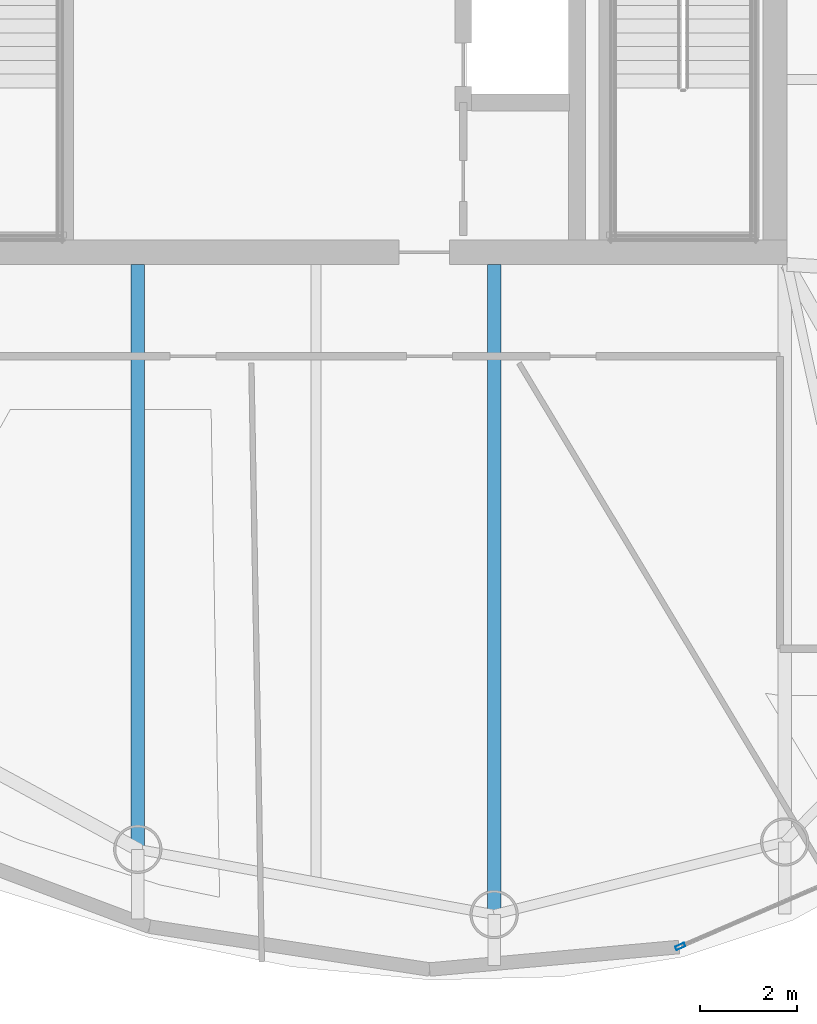
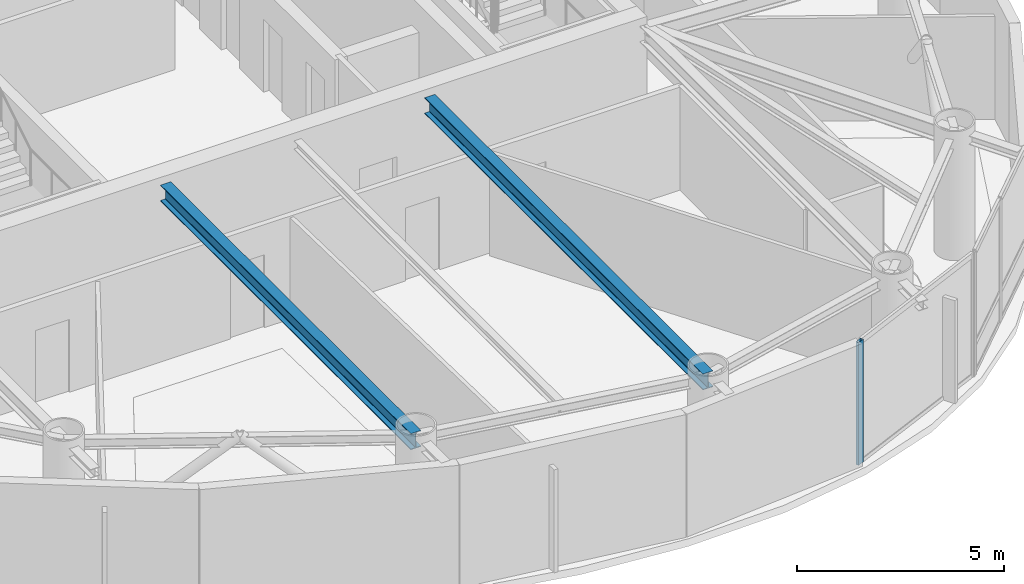
# One storey, part 5 of 21: 2 beams, 1 member, 1 element without a shape of its own.
"""IFC4 building model written with IfcOpenShell, lengths in metres."""

from ifc_helpers import new_model, si_unit, direction, frame, origin, origin_2d, place, context, subcontext, project, spatial, hollow_rectangle, i_section, extrude, material, layer, layer_set, material_profile, profile_set, type_object, element, aggregate, save


model = new_model("IFC4")

# Units and contexts
model_context = context("Model", 3, precision=1e-05, world=origin(), true_north=direction((0.0, 1.0)))
body_context = subcontext(model_context, "Body", "Model", "MODEL_VIEW")
ifc_project = project(units=[si_unit("LENGTHUNIT", "METRE"), si_unit("AREAUNIT", "SQUARE_METRE"), si_unit("VOLUMEUNIT", "CUBIC_METRE"), si_unit("PLANEANGLEUNIT", "RADIAN"), si_unit("MASSUNIT", "GRAM", prefix="KILO")], contexts=[model_context])

# Site, building, storey
site_placement = place(None, origin())
site = spatial("IfcSite", under=ifc_project, at=site_placement, CompositionType="ELEMENT")
building_placement = place(site_placement, origin())
building = spatial("IfcBuilding", under=site, at=building_placement, Name="Bramvorn Convention Spire", CompositionType="ELEMENT")
storey_placement = place(building_placement, frame((0.0, 0.0, 257.449951171875)))
storey = spatial("IfcBuildingStorey", under=building, at=storey_placement, Name="L65", CompositionType="ELEMENT", Elevation=257.449951171875)

# Beams
ifc_material_1 = material(Name="Steel CSA G40.21 Grade 350 (350W)", Category="steel")
ifc_material_profile_1 = material_profile(ifc_material_1, i_section(OverallWidth=0.283935546875, OverallDepth=0.47607421875, WebThickness=0.014892578125, FlangeThickness=0.02392578125, FilletRadius=0.01806640625, at=origin_2d()))
ifc_profile_set_1 = profile_set([ifc_material_profile_1], Name="Steel CSA G40.21 Grade 350 (350W) - W460X158")
beam_type = type_object("IfcBeamType", Name="BM-W460X158", PredefinedType="SPANDREL", material=ifc_profile_set_1)
beam_1_placement = place(storey_placement, frame((35.8154296875, 18.550048828125, 3.386962890625), z_axis=(0.0, -1.0, 0.0), x_axis=(1.0, 0.0, 0.0)))
element("IfcBeam", 1, at=beam_1_placement, inside=storey, type_object=beam_type, Name="L65 radial floor girder MC15", PredefinedType="SPANDREL", context=body_context, shape_type="SweptSolid", body=[
    extrude(i_section(OverallWidth=0.283935546875, OverallDepth=0.47607421875, WebThickness=0.014892578125, FlangeThickness=0.02392578125, FilletRadius=0.01806640625, at=origin_2d()), origin(), (0.0, 0.0, 1.0), 12.100830078125),
])
beam_2_placement = place(storey_placement, frame((43.1884765625, 18.550048828125, 3.386962890625), z_axis=(0.0, -1.0, 0.0), x_axis=(1.0, 0.0, 0.0)))
element("IfcBeam", 2, at=beam_2_placement, inside=storey, type_object=beam_type, Name="L65 radial floor girder MC16", PredefinedType="SPANDREL", context=body_context, shape_type="SweptSolid", body=[
    extrude(i_section(OverallWidth=0.283935546875, OverallDepth=0.47607421875, WebThickness=0.014892578125, FlangeThickness=0.02392578125, FilletRadius=0.01806640625, at=origin_2d()), origin(), (0.0, 0.0, 1.0), 13.450927734375),
])

# Curtain wall, member
ifc_material_2 = material(Name="Anodised Bronze Unitised Curtain Wall", Category="aluminium")
ifc_layer = layer(ifc_material_2, 0.179931640625)
ifc_layer_set = layer_set([ifc_layer], Name="Anodised Bronze Unitised Curtain Wall - CW-OFF-FRIT")
curtain_wall_type = type_object("IfcCurtainWallType", Name="CW-OFF-FRIT", PredefinedType="USERDEFINED", material=ifc_layer_set)
curtain_wall_placement = place(storey_placement, origin())
curtain_wall = element("IfcCurtainWall", 3, at=curtain_wall_placement, inside=storey, type_object=curtain_wall_type, Name="L65 fritted glass curtain wall 24", ObjectType="UNITISED CURTAIN WALL", PredefinedType="USERDEFINED")
ifc_material_3 = material(Name="Anodised Bronze Aluminium 6063-T6", Category="aluminium")
ifc_material_profile_2 = material_profile(ifc_material_3, hollow_rectangle(XDim=0.080078125, YDim=0.199951171875, WallThickness=0.00390625, InnerFilletRadius=0.0009765625, OuterFilletRadius=0.00390625, at=origin_2d()))
ifc_profile_set_2 = profile_set([ifc_material_profile_2], Name="Anodised Bronze Aluminium 6063-T6 - CWM80X200")
member_type = type_object("IfcMemberType", Name="CW-MUL-180", PredefinedType="MULLION", material=ifc_profile_set_2)
member_placement = place(storey_placement, frame((47.0400390625, 4.4384765625, 0.0), z_axis=(0.0, 0.0, 1.0), x_axis=(0.39721516725, -0.917725509565, 0.0)))
member = element("IfcMember", 4, at=member_placement, type_object=member_type, Name="CW3 mullion 2", PredefinedType="MULLION", context=body_context, shape_type="SweptSolid", body=[
    extrude(hollow_rectangle(XDim=0.080078125, YDim=0.199951171875, WallThickness=0.00390625, InnerFilletRadius=0.0009765625, OuterFilletRadius=0.00390625, at=origin_2d()), origin(), (0.0, 0.0, 1.0), 3.625),
])
aggregate(curtain_wall, [member])

save(model, "model.ifc")
